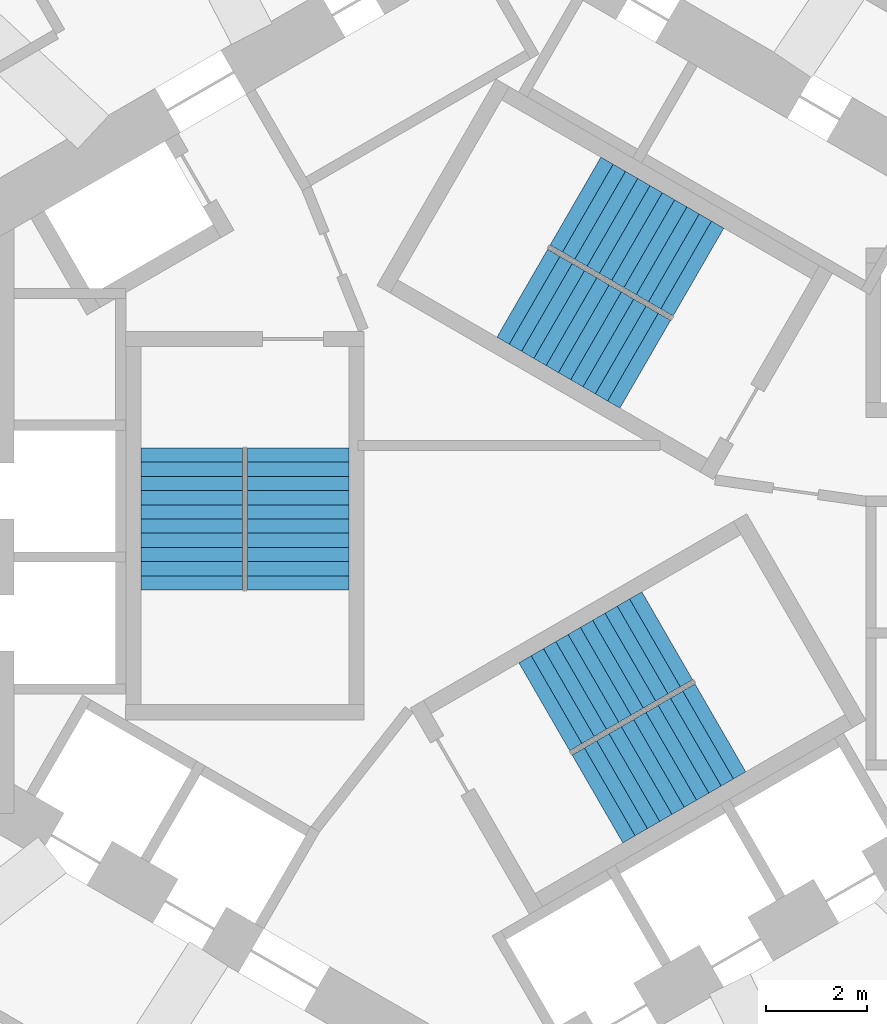
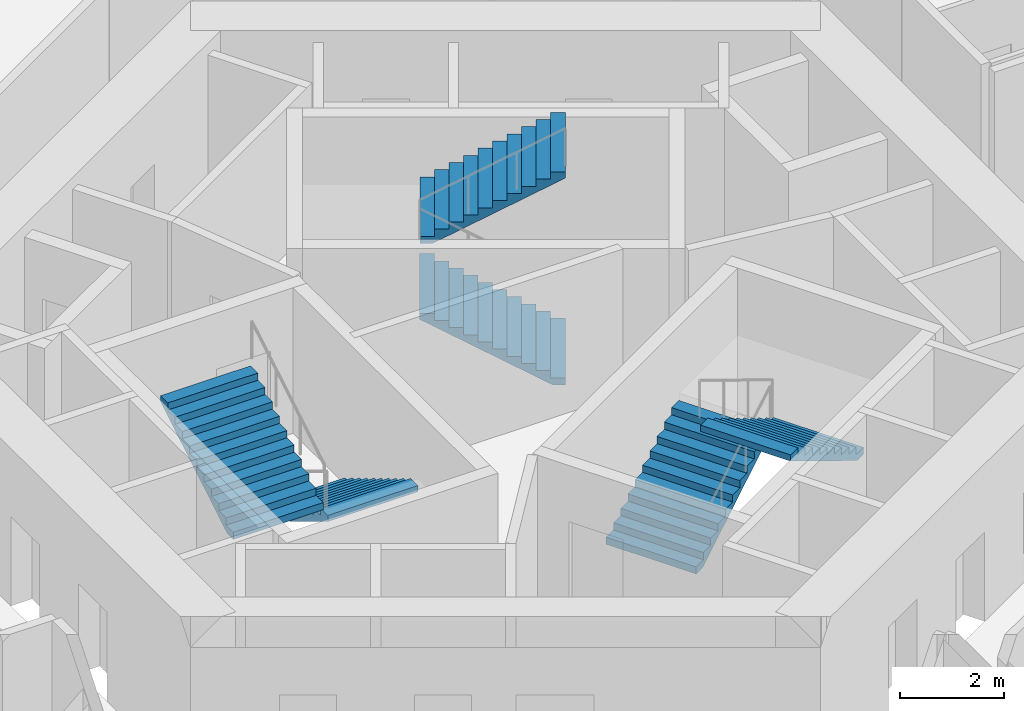
# One storey, part 9 of 11: 6 stair flights, 3 elements without a shape of their own.
"""IFC4 building model written with IfcOpenShell, lengths in metres."""

import ifcopenshell
import ifcopenshell.guid

model = None  # the IFC model being written
_history = None  # IfcOwnerHistory: only IFC2X3 demands one
_inside = {}  # id of a spatial element -> (the spatial element, [elements in it])
_under = {}  # id of a project, library or spatial element -> (it, [spatial elements below it])
_declared = {}  # id of a project -> (the project, [libraries it declares])
_typed = {}  # id of a type object -> (the type object, [elements of that type])
_made_of = {}  # id of a material, layer set ... -> (it, [elements and type objects made of it])


def new_model(schema):
    """Start an empty IFC model of exactly this schema.

    Asked for "IFC4X3", IfcOpenShell would pick the latest addendum, in which some entities
    have other attributes; the version numbers below select the first issue.
    IFC2X3 requires an IfcOwnerHistory on every rooted entity: one is made here for all.
    """
    global model, _history
    if schema == "IFC4X3":
        model = ifcopenshell.file(schema_version=(4, 3, 0, 0))
    else:
        model = ifcopenshell.file(schema=schema)
    _inside.clear()
    _under.clear()
    _declared.clear()
    _typed.clear()
    _made_of.clear()
    _history = None
    if model.schema == "IFC2X3":
        org = make("IfcOrganization", Name="unknown")
        user = make(
            "IfcPersonAndOrganization",
            ThePerson=make("IfcPerson", FamilyName="unknown"),
            TheOrganization=org,
        )
        app = make(
            "IfcApplication",
            ApplicationDeveloper=org,
            Version="unknown",
            ApplicationFullName="unknown",
            ApplicationIdentifier="unknown",
        )
        _history = make(
            "IfcOwnerHistory",
            OwningUser=user,
            OwningApplication=app,
            ChangeAction="ADDED",
            CreationDate=0,
        )
    return model


def make(cls, **values):
    """One entity of the class cls with the attributes given. An attribute that is None is left unset."""
    return model.create_entity(
        cls, **{name: value for name, value in values.items() if value is not None}
    )


def rooted(cls, **values):
    """An entity with a GlobalId (a new one), such as an element, a storey or a relation."""
    return make(cls, GlobalId=ifcopenshell.guid.new(), OwnerHistory=_history, **values)


def si_unit(unit_type, name, prefix=None):
    """IfcSIUnit, for example si_unit("LENGTHUNIT", "METRE", prefix="MILLI")."""
    return make("IfcSIUnit", UnitType=unit_type, Prefix=prefix, Name=name)


def assignment(units):
    """IfcUnitAssignment: the units of a project."""
    return None if units is None else make("IfcUnitAssignment", Units=units)


def point(xyz):
    """IfcCartesianPoint."""
    return None if xyz is None else make("IfcCartesianPoint", Coordinates=xyz)


def direction(xyz):
    """IfcDirection."""
    return None if xyz is None else make("IfcDirection", DirectionRatios=xyz)


def frame(location, z_axis=None, x_axis=None):
    """IfcAxis2Placement3D, a coordinate frame: its origin and axes. An axis left out is left unset."""
    return make(
        "IfcAxis2Placement3D",
        Location=point(location),
        Axis=direction(z_axis),
        RefDirection=direction(x_axis),
    )


def origin():
    """The frame at (0, 0, 0) with its axes left unset."""
    return frame((0.0, 0.0, 0.0))


def place(relative_to, where):
    """IfcLocalPlacement: puts the frame where relative to a parent placement (None: the world)."""
    return make(
        "IfcLocalPlacement", PlacementRelTo=relative_to, RelativePlacement=where
    )


def context(
    kind, dimensions, precision=None, world=None, true_north=None, identifier=None
):
    """IfcGeometricRepresentationContext, for example the 3D "Model" context."""
    return make(
        "IfcGeometricRepresentationContext",
        ContextIdentifier=identifier,
        ContextType=kind,
        CoordinateSpaceDimension=dimensions,
        Precision=precision,
        WorldCoordinateSystem=world,
        TrueNorth=true_north,
    )


def subcontext(parent, identifier, kind, view, scale=None):
    """IfcGeometricRepresentationSubContext, for example "Body" below "Model"."""
    return make(
        "IfcGeometricRepresentationSubContext",
        ContextIdentifier=identifier,
        ContextType=kind,
        ParentContext=parent,
        TargetScale=scale,
        TargetView=view,
    )


def project(units=None, contexts=None):
    """IfcProject with its units and contexts."""
    return rooted(
        "IfcProject",
        Name="project",
        RepresentationContexts=contexts,
        UnitsInContext=assignment(units),
    )


def spatial(cls, under=None, at=None, **own):
    """A site, building, storey or space (cls), placed at a placement, below another one or the project."""
    s = rooted(cls, ObjectPlacement=at, **own)
    if under is not None:
        _under.setdefault(under.id(), (under, []))[1].append(s)
    return s


def point_list(points):
    """IfcCartesianPointList2D or 3D."""
    cls = (
        "IfcCartesianPointList2D" if len(points[0]) == 2 else "IfcCartesianPointList3D"
    )
    return make(cls, CoordList=points)


def triangles(points, corners, closed=None, point_numbers=None):
    """IfcTriangulatedFaceSet: each triangle names its three corners, points numbered from 1."""
    return make(
        "IfcTriangulatedFaceSet",
        Coordinates=point_list(points),
        Closed=closed,
        CoordIndex=corners,
        PnIndex=point_numbers,
    )


def shape(context_of_items, identifier, shape_type, items):
    """IfcShapeRepresentation: the items that make up one representation, for example the "Body"."""
    return make(
        "IfcShapeRepresentation",
        ContextOfItems=context_of_items,
        RepresentationIdentifier=identifier,
        RepresentationType=shape_type,
        Items=items,
    )


def source(mapping_origin, context_of_items, identifier, shape_type, items):
    """IfcRepresentationMap: a shape defined once, which mapped items show again and again."""
    return make(
        "IfcRepresentationMap",
        MappingOrigin=mapping_origin,
        MappedRepresentation=shape(context_of_items, identifier, shape_type, items),
    )


def transform(
    local_origin,
    x_axis=None,
    y_axis=None,
    z_axis=None,
    scale=None,
    scale2=None,
    scale3=None,
    uniform=True,
):
    """IfcCartesianTransformationOperator3D, or its non-uniform kind. x_axis, y_axis, z_axis: its Axis1, 2, 3."""
    if uniform:
        return make(
            "IfcCartesianTransformationOperator3D",
            Axis1=direction(x_axis),
            Axis2=direction(y_axis),
            LocalOrigin=point(local_origin),
            Scale=scale,
            Axis3=direction(z_axis),
        )
    return make(
        "IfcCartesianTransformationOperator3DnonUniform",
        Axis1=direction(x_axis),
        Axis2=direction(y_axis),
        LocalOrigin=point(local_origin),
        Scale=scale,
        Axis3=direction(z_axis),
        Scale2=scale2,
        Scale3=scale3,
    )


def mapped(mapping_source, mapping_target):
    """IfcMappedItem: shows the shape of a source again, moved by a transform."""
    return make(
        "IfcMappedItem", MappingSource=mapping_source, MappingTarget=mapping_target
    )


def material(Name=None, Category=None):
    """IfcMaterial."""
    return make("IfcMaterial", Name=Name, Category=Category)


def made_of(thing, what):
    """Note that an element or type object is made of a material, layer set ...; save() writes the relation."""
    if what is not None:
        _made_of.setdefault(what.id(), (what, []))[1].append(thing)
    return thing


def type_object(cls, material=None, **own):
    """A type object (cls), such as IfcWallType, which elements share."""
    return made_of(rooted(cls, **own), material)


def element(
    cls,
    number,
    at=None,
    inside=None,
    cuts=None,
    type_object=None,
    material=None,
    context=None,
    identifier="Body",
    shape_type=None,
    held_by="IfcProductDefinitionShape",
    body=None,
    shapes=None,
    **own,
):
    """One element of the class cls, such as IfcWall. Its Tag is "e" and its number.

    at: its placement. inside: the storey or other place that contains it. cuts: it is an
    opening in that element (IfcRelVoidsElement). A single representation is given by context,
    identifier, shape_type and body (its items); several are given by shapes. held_by: the class
    of the entity that holds the representations. save() writes the other relations.
    """
    e = rooted(cls, Tag="e%d" % number, ObjectPlacement=at, **own)
    if body is not None:
        shapes = [shape(context, identifier, shape_type, body)]
    if shapes is not None:
        e.Representation = make(held_by, Representations=shapes)
    if inside is not None:
        _inside.setdefault(inside.id(), (inside, []))[1].append(e)
    if cuts is not None:
        rooted(
            "IfcRelVoidsElement", RelatingBuildingElement=cuts, RelatedOpeningElement=e
        )
    if type_object is not None:
        _typed.setdefault(type_object.id(), (type_object, []))[1].append(e)
    return made_of(e, material)


def aggregate(whole, parts):
    """IfcRelAggregates: a whole, such as a stair, and the parts it consists of."""
    return rooted("IfcRelAggregates", RelatingObject=whole, RelatedObjects=parts)


def save(model, path):
    """Write the relations noted so far, then the file.

    IfcRelAggregates (storeys below a building ...), IfcRelContainedInSpatialStructure (elements
    in a storey), IfcRelDefinesByType, IfcRelAssociatesMaterial and IfcRelDeclares: one each for
    every whole, place, type object, material and project.
    """
    for whole, parts in _under.values():
        aggregate(whole, parts)
    for where, things in _inside.values():
        rooted(
            "IfcRelContainedInSpatialStructure",
            RelatedElements=things,
            RelatingStructure=where,
        )
    for kind, things in _typed.values():
        rooted("IfcRelDefinesByType", RelatedObjects=things, RelatingType=kind)
    for what, things in _made_of.values():
        rooted("IfcRelAssociatesMaterial", RelatedObjects=things, RelatingMaterial=what)
    for by, libraries in _declared.values():
        rooted("IfcRelDeclares", RelatingContext=by, RelatedDefinitions=libraries)
    model.write(path)


model = new_model("IFC4")

# Units and contexts
model_context = context("Model", 3, precision=1e-05, world=origin(), true_north=direction((0.0, 1.0)))
body_context = subcontext(model_context, "Body", "Model", "MODEL_VIEW")
ifc_project = project(units=[si_unit("LENGTHUNIT", "METRE"), si_unit("AREAUNIT", "SQUARE_METRE"), si_unit("VOLUMEUNIT", "CUBIC_METRE"), si_unit("PLANEANGLEUNIT", "RADIAN"), si_unit("MASSUNIT", "GRAM", prefix="KILO")], contexts=[model_context])

# Site, building, storey
site_placement = place(None, origin())
site = spatial("IfcSite", under=ifc_project, at=site_placement, CompositionType="ELEMENT")
building_placement = place(site_placement, origin())
building = spatial("IfcBuilding", under=site, at=building_placement, Name="Vanh Sen Convention Tower", CompositionType="ELEMENT")
storey_placement = place(building_placement, frame((0.0, 0.0, 172.5)))
storey = spatial("IfcBuildingStorey", under=building, at=storey_placement, Name="L42", CompositionType="ELEMENT", Elevation=172.5)

# Stair, stair flights
ifc_material_1 = material(Name="Concrete C50/60", Category="concrete")
stair_type_1 = type_object("IfcStairType", Name="Exit stair ST1 22 risers at 168.2", PredefinedType="HALF_TURN_STAIR", material=ifc_material_1)
stair_1_placement = place(storey_placement, origin())
stair_1 = element("IfcStair", 1, at=stair_1_placement, inside=storey, type_object=stair_type_1, Name="Exit stair ST1 L42", PredefinedType="HALF_TURN_STAIR")
ifc_material_2 = material(Name="Concrete C40/50", Category="concrete")
stair_flight_type = type_object("IfcStairFlightType", Name="Stair flight 2000", PredefinedType="STRAIGHT", material=ifc_material_2)
shared_shape = source(origin(), body_context, "Body", "Tessellation", [
    triangles([(0.24267578125, 1.0, 0.0), (0.0, 1.0, 0.0), (0.0, 1.0, 0.168212890625), (0.280029296875, 1.0, 0.168212890625), (0.280029296875, 1.0, 0.33642578125), (0.56005859375, 1.0, 0.33642578125), (0.56005859375, 1.0, 0.504638671875), (0.840087890625, 1.0, 0.504638671875), (0.840087890625, 1.0, 0.672607421875), (1.1201171875, 1.0, 0.672607421875), (1.1201171875, 1.0, 0.8408203125), (1.39990234375, 1.0, 0.8408203125), (1.39990234375, 1.0, 1.009033203125), (1.679931640625, 1.0, 1.009033203125), (1.679931640625, 1.0, 1.17724609375), (1.9599609375, 1.0, 1.17724609375), (1.9599609375, 1.0, 1.345458984375), (2.239990234375, 1.0, 1.345458984375), (2.239990234375, 1.0, 1.513671875), (2.52001953125, 1.0, 1.513671875), (2.52001953125, 1.0, 1.681884765625), (2.800048828125, 1.0, 1.681884765625), (2.800048828125, 1.0, 1.535888671875), (0.24267578125, -1.0, 0.0), (0.0, -1.0, 0.0), (0.0, -1.0, 0.168212890625), (0.280029296875, -1.0, 0.168212890625), (0.280029296875, -1.0, 0.33642578125), (0.56005859375, -1.0, 0.33642578125), (0.56005859375, -1.0, 0.504638671875), (0.840087890625, -1.0, 0.504638671875), (0.840087890625, -1.0, 0.672607421875), (1.1201171875, -1.0, 0.672607421875), (1.1201171875, -1.0, 0.8408203125), (1.39990234375, -1.0, 0.8408203125), (1.39990234375, -1.0, 1.009033203125), (1.679931640625, -1.0, 1.009033203125), (1.679931640625, -1.0, 1.17724609375), (1.9599609375, -1.0, 1.17724609375), (1.9599609375, -1.0, 1.345458984375), (2.239990234375, -1.0, 1.345458984375), (2.239990234375, -1.0, 1.513671875), (2.52001953125, -1.0, 1.513671875), (2.52001953125, -1.0, 1.681884765625), (2.800048828125, -1.0, 1.681884765625), (2.800048828125, -1.0, 1.535888671875), (0.0, 0.0400390625, 0.0), (0.0, 0.0390625, 0.0), (0.0, 0.0380859375, 0.0), (0.0, 0.037109375, 0.0), (0.0, 0.035888671875, 0.0), (0.0, 0.034912109375, 0.0), (0.0, 0.033935546875, 0.0), (0.0, 0.032958984375, 0.0), (0.0, 0.031982421875, 0.0), (0.0, 0.031005859375, 0.0), (0.0, 0.030029296875, 0.0), (0.0, 0.029052734375, 0.0), (0.0, 0.028076171875, 0.0), (0.0, 0.027099609375, 0.0), (0.0, 0.02587890625, 0.0), (0.0, 0.02490234375, 0.0), (0.0, 0.02392578125, 0.0), (0.0, 0.02294921875, 0.0), (0.0, 0.02197265625, 0.0), (0.0, 0.02099609375, 0.0), (0.0, 0.02001953125, 0.0), (0.0, 0.01904296875, 0.0), (0.0, 0.01806640625, 0.0), (0.0, 0.01708984375, 0.0), (0.0, 0.01611328125, 0.0), (0.0, 0.014892578125, 0.0), (0.0, 0.013916015625, 0.0), (0.0, 0.012939453125, 0.0), (0.0, 0.011962890625, 0.0), (0.0, 0.010986328125, 0.0), (0.0, 0.010009765625, 0.0), (0.0, 0.009033203125, 0.0), (0.0, 0.008056640625, 0.0), (0.0, 0.007080078125, 0.0), (0.0, 0.006103515625, 0.0), (0.0, 0.0048828125, 0.0), (0.0, 0.00390625, 0.0), (0.0, 0.0029296875, 0.0), (0.0, 0.001953125, 0.0), (0.0, 0.0009765625, 0.0), (0.0, 0.0, 0.0), (0.0, -0.0009765625, 0.0), (0.0, -0.001953125, 0.0), (0.0, -0.0029296875, 0.0), (0.0, -0.00390625, 0.0), (0.0, -0.0048828125, 0.0), (0.0, -0.006103515625, 0.0), (0.0, -0.007080078125, 0.0), (0.0, -0.008056640625, 0.0), (0.0, -0.009033203125, 0.0), (0.0, -0.010009765625, 0.0), (0.0, -0.010986328125, 0.0), (0.0, -0.011962890625, 0.0), (0.0, -0.012939453125, 0.0), (0.0, -0.013916015625, 0.0), (0.0, -0.014892578125, 0.0), (0.0, -0.01611328125, 0.0), (0.0, -0.01708984375, 0.0), (0.0, -0.01806640625, 0.0), (0.0, -0.01904296875, 0.0), (0.0, -0.02001953125, 0.0), (0.0, -0.02099609375, 0.0), (0.0, -0.02197265625, 0.0), (0.0, -0.02294921875, 0.0), (0.0, -0.02392578125, 0.0), (0.0, -0.02490234375, 0.0), (0.0, -0.02587890625, 0.0), (0.0, -0.027099609375, 0.0), (0.0, -0.028076171875, 0.0), (0.0, -0.029052734375, 0.0), (0.0, -0.030029296875, 0.0), (0.0, -0.031005859375, 0.0), (0.0, -0.031982421875, 0.0), (0.0, -0.032958984375, 0.0), (0.0, -0.033935546875, 0.0), (0.0, -0.034912109375, 0.0), (0.0, -0.035888671875, 0.0), (0.0, -0.037109375, 0.0), (0.0, -0.0380859375, 0.0), (0.0, -0.0390625, 0.0), (0.0, -0.0400390625, 0.0), (0.0, 0.0400390625, 0.168212890625), (0.0, 0.0390625, 0.168212890625), (0.0, 0.0380859375, 0.168212890625), (0.0, 0.037109375, 0.168212890625), (0.0, 0.035888671875, 0.168212890625), (0.0, 0.034912109375, 0.168212890625), (0.0, 0.033935546875, 0.168212890625), (0.0, 0.032958984375, 0.168212890625), (0.0, 0.031982421875, 0.168212890625), (0.0, 0.031005859375, 0.168212890625), (0.0, 0.030029296875, 0.168212890625), (0.0, 0.029052734375, 0.168212890625), (0.0, 0.028076171875, 0.168212890625), (0.0, 0.027099609375, 0.168212890625), (0.0, 0.02587890625, 0.168212890625), (0.0, 0.02490234375, 0.168212890625), (0.0, 0.02392578125, 0.168212890625), (0.0, 0.02294921875, 0.168212890625), (0.0, 0.02197265625, 0.168212890625), (0.0, 0.02099609375, 0.168212890625), (0.0, 0.02001953125, 0.168212890625), (0.0, 0.01904296875, 0.168212890625), (0.0, 0.01806640625, 0.168212890625), (0.0, 0.01708984375, 0.168212890625), (0.0, 0.01611328125, 0.168212890625), (0.0, 0.014892578125, 0.168212890625), (0.0, 0.013916015625, 0.168212890625), (0.0, 0.012939453125, 0.168212890625), (0.0, 0.011962890625, 0.168212890625), (0.0, 0.010986328125, 0.168212890625), (0.0, 0.010009765625, 0.168212890625), (0.0, 0.009033203125, 0.168212890625), (0.0, 0.008056640625, 0.168212890625), (0.0, 0.007080078125, 0.168212890625), (0.0, 0.006103515625, 0.168212890625), (0.0, 0.0048828125, 0.168212890625), (0.0, 0.00390625, 0.168212890625), (0.0, 0.0029296875, 0.168212890625), (0.0, 0.001953125, 0.168212890625), (0.0, 0.0009765625, 0.168212890625), (0.0, 0.0, 0.168212890625), (0.0, -0.0009765625, 0.168212890625), (0.0, -0.001953125, 0.168212890625), (0.0, -0.0029296875, 0.168212890625), (0.0, -0.00390625, 0.168212890625), (0.0, -0.0048828125, 0.168212890625), (0.0, -0.006103515625, 0.168212890625), (0.0, -0.007080078125, 0.168212890625), (0.0, -0.008056640625, 0.168212890625), (0.0, -0.009033203125, 0.168212890625), (0.0, -0.010009765625, 0.168212890625), (0.0, -0.010986328125, 0.168212890625), (0.0, -0.011962890625, 0.168212890625), (0.0, -0.012939453125, 0.168212890625), (0.0, -0.013916015625, 0.168212890625), (0.0, -0.014892578125, 0.168212890625), (0.0, -0.01611328125, 0.168212890625), (0.0, -0.01708984375, 0.168212890625), (0.0, -0.01806640625, 0.168212890625), (0.0, -0.01904296875, 0.168212890625), (0.0, -0.02001953125, 0.168212890625), (0.0, -0.02099609375, 0.168212890625), (0.0, -0.02197265625, 0.168212890625), (0.0, -0.02294921875, 0.168212890625), (0.0, -0.02392578125, 0.168212890625), (0.0, -0.02490234375, 0.168212890625), (0.0, -0.02587890625, 0.168212890625), (0.0, -0.027099609375, 0.168212890625), (0.0, -0.028076171875, 0.168212890625), (0.0, -0.029052734375, 0.168212890625), (0.0, -0.030029296875, 0.168212890625), (0.0, -0.031005859375, 0.168212890625), (0.0, -0.031982421875, 0.168212890625), (0.0, -0.032958984375, 0.168212890625), (0.0, -0.033935546875, 0.168212890625), (0.0, -0.034912109375, 0.168212890625), (0.0, -0.035888671875, 0.168212890625), (0.0, -0.037109375, 0.168212890625), (0.0, -0.0380859375, 0.168212890625), (0.0, -0.0390625, 0.168212890625), (0.0, -0.0400390625, 0.168212890625), (0.280029296875, 0.0, 0.168212890625), (0.280029296875, 0.0, 0.33642578125), (0.56005859375, 0.0, 0.33642578125), (0.56005859375, 0.0, 0.504638671875), (0.840087890625, 0.0, 0.504638671875), (0.840087890625, 0.0, 0.672607421875), (1.1201171875, 0.0, 0.672607421875), (1.1201171875, 0.0, 0.8408203125), (1.39990234375, 0.0, 0.8408203125), (1.39990234375, 0.0, 1.009033203125), (1.679931640625, 0.0, 1.009033203125), (1.679931640625, 0.0, 1.17724609375), (1.9599609375, 0.0, 1.17724609375), (1.9599609375, 0.0, 1.345458984375), (2.239990234375, 0.0, 1.345458984375), (2.239990234375, 0.0, 1.513671875), (2.52001953125, 0.0, 1.513671875), (2.52001953125, 0.0, 1.681884765625), (2.800048828125, 0.0400390625, 1.681884765625), (2.800048828125, 0.0390625, 1.681884765625), (2.800048828125, 0.0380859375, 1.681884765625), (2.800048828125, 0.037109375, 1.681884765625), (2.800048828125, 0.035888671875, 1.681884765625), (2.800048828125, 0.034912109375, 1.681884765625), (2.800048828125, 0.033935546875, 1.681884765625), (2.800048828125, 0.032958984375, 1.681884765625), (2.800048828125, 0.031982421875, 1.681884765625), (2.800048828125, 0.031005859375, 1.681884765625), (2.800048828125, 0.030029296875, 1.681884765625), (2.800048828125, 0.029052734375, 1.681884765625), (2.800048828125, 0.028076171875, 1.681884765625), (2.800048828125, 0.027099609375, 1.681884765625), (2.800048828125, 0.02587890625, 1.681884765625), (2.800048828125, 0.02490234375, 1.681884765625), (2.800048828125, 0.02392578125, 1.681884765625), (2.800048828125, 0.02294921875, 1.681884765625), (2.800048828125, 0.02197265625, 1.681884765625), (2.800048828125, 0.02099609375, 1.681884765625), (2.800048828125, 0.02001953125, 1.681884765625), (2.800048828125, 0.01904296875, 1.681884765625), (2.800048828125, 0.01806640625, 1.681884765625), (2.800048828125, 0.01708984375, 1.681884765625), (2.800048828125, 0.01611328125, 1.681884765625), (2.800048828125, 0.014892578125, 1.681884765625), (2.800048828125, 0.013916015625, 1.681884765625), (2.800048828125, 0.012939453125, 1.681884765625), (2.800048828125, 0.011962890625, 1.681884765625), (2.800048828125, 0.010986328125, 1.681884765625), (2.800048828125, 0.010009765625, 1.681884765625), (2.800048828125, 0.009033203125, 1.681884765625), (2.800048828125, 0.008056640625, 1.681884765625), (2.800048828125, 0.007080078125, 1.681884765625), (2.800048828125, 0.006103515625, 1.681884765625), (2.800048828125, 0.0048828125, 1.681884765625), (2.800048828125, 0.00390625, 1.681884765625), (2.800048828125, 0.0029296875, 1.681884765625), (2.800048828125, 0.001953125, 1.681884765625), (2.800048828125, 0.0009765625, 1.681884765625), (2.800048828125, 0.0, 1.681884765625), (2.800048828125, -0.0009765625, 1.681884765625), (2.800048828125, -0.001953125, 1.681884765625), (2.800048828125, -0.0029296875, 1.681884765625), (2.800048828125, -0.00390625, 1.681884765625), (2.800048828125, -0.0048828125, 1.681884765625), (2.800048828125, -0.006103515625, 1.681884765625), (2.800048828125, -0.007080078125, 1.681884765625), (2.800048828125, -0.008056640625, 1.681884765625), (2.800048828125, -0.009033203125, 1.681884765625), (2.800048828125, -0.010009765625, 1.681884765625), (2.800048828125, -0.010986328125, 1.681884765625), (2.800048828125, -0.011962890625, 1.681884765625), (2.800048828125, -0.012939453125, 1.681884765625), (2.800048828125, -0.013916015625, 1.681884765625), (2.800048828125, -0.014892578125, 1.681884765625), (2.800048828125, -0.01611328125, 1.681884765625), (2.800048828125, -0.01708984375, 1.681884765625), (2.800048828125, -0.01806640625, 1.681884765625), (2.800048828125, -0.01904296875, 1.681884765625), (2.800048828125, -0.02001953125, 1.681884765625), (2.800048828125, -0.02099609375, 1.681884765625), (2.800048828125, -0.02197265625, 1.681884765625), (2.800048828125, -0.02294921875, 1.681884765625), (2.800048828125, -0.02392578125, 1.681884765625), (2.800048828125, -0.02490234375, 1.681884765625), (2.800048828125, -0.02587890625, 1.681884765625), (2.800048828125, -0.027099609375, 1.681884765625), (2.800048828125, -0.028076171875, 1.681884765625), (2.800048828125, -0.029052734375, 1.681884765625), (2.800048828125, -0.030029296875, 1.681884765625), (2.800048828125, -0.031005859375, 1.681884765625), (2.800048828125, -0.031982421875, 1.681884765625), (2.800048828125, -0.032958984375, 1.681884765625), (2.800048828125, -0.033935546875, 1.681884765625), (2.800048828125, -0.034912109375, 1.681884765625), (2.800048828125, -0.035888671875, 1.681884765625), (2.800048828125, -0.037109375, 1.681884765625), (2.800048828125, -0.0380859375, 1.681884765625), (2.800048828125, -0.0390625, 1.681884765625), (2.800048828125, -0.0400390625, 1.681884765625), (2.800048828125, 0.0400390625, 1.535888671875), (2.800048828125, 0.0390625, 1.535888671875), (2.800048828125, 0.0380859375, 1.535888671875), (2.800048828125, 0.037109375, 1.535888671875), (2.800048828125, 0.035888671875, 1.535888671875), (2.800048828125, 0.034912109375, 1.535888671875), (2.800048828125, 0.033935546875, 1.535888671875), (2.800048828125, 0.032958984375, 1.535888671875), (2.800048828125, 0.031982421875, 1.535888671875), (2.800048828125, 0.031005859375, 1.535888671875), (2.800048828125, 0.030029296875, 1.535888671875), (2.800048828125, 0.029052734375, 1.535888671875), (2.800048828125, 0.028076171875, 1.535888671875), (2.800048828125, 0.027099609375, 1.535888671875), (2.800048828125, 0.02587890625, 1.535888671875), (2.800048828125, 0.02490234375, 1.535888671875), (2.800048828125, 0.02392578125, 1.535888671875), (2.800048828125, 0.02294921875, 1.535888671875), (2.800048828125, 0.02197265625, 1.535888671875), (2.800048828125, 0.02099609375, 1.535888671875), (2.800048828125, 0.02001953125, 1.535888671875), (2.800048828125, 0.01904296875, 1.535888671875), (2.800048828125, 0.01806640625, 1.535888671875), (2.800048828125, 0.01708984375, 1.535888671875), (2.800048828125, 0.01611328125, 1.535888671875), (2.800048828125, 0.014892578125, 1.535888671875), (2.800048828125, 0.013916015625, 1.535888671875), (2.800048828125, 0.012939453125, 1.535888671875), (2.800048828125, 0.011962890625, 1.535888671875), (2.800048828125, 0.010986328125, 1.535888671875), (2.800048828125, 0.010009765625, 1.535888671875), (2.800048828125, 0.009033203125, 1.535888671875), (2.800048828125, 0.008056640625, 1.535888671875), (2.800048828125, 0.007080078125, 1.535888671875), (2.800048828125, 0.006103515625, 1.535888671875), (2.800048828125, 0.0048828125, 1.535888671875), (2.800048828125, 0.00390625, 1.535888671875), (2.800048828125, 0.0029296875, 1.535888671875), (2.800048828125, 0.001953125, 1.535888671875), (2.800048828125, 0.0009765625, 1.535888671875), (2.800048828125, 0.0, 1.535888671875), (2.800048828125, -0.0009765625, 1.535888671875), (2.800048828125, -0.001953125, 1.535888671875), (2.800048828125, -0.0029296875, 1.535888671875), (2.800048828125, -0.00390625, 1.535888671875), (2.800048828125, -0.0048828125, 1.535888671875), (2.800048828125, -0.006103515625, 1.535888671875), (2.800048828125, -0.007080078125, 1.535888671875), (2.800048828125, -0.008056640625, 1.535888671875), (2.800048828125, -0.009033203125, 1.535888671875), (2.800048828125, -0.010009765625, 1.535888671875), (2.800048828125, -0.010986328125, 1.535888671875), (2.800048828125, -0.011962890625, 1.535888671875), (2.800048828125, -0.012939453125, 1.535888671875), (2.800048828125, -0.013916015625, 1.535888671875), (2.800048828125, -0.014892578125, 1.535888671875), (2.800048828125, -0.01611328125, 1.535888671875), (2.800048828125, -0.01708984375, 1.535888671875), (2.800048828125, -0.01806640625, 1.535888671875), (2.800048828125, -0.01904296875, 1.535888671875), (2.800048828125, -0.02001953125, 1.535888671875), (2.800048828125, -0.02099609375, 1.535888671875), (2.800048828125, -0.02197265625, 1.535888671875), (2.800048828125, -0.02294921875, 1.535888671875), (2.800048828125, -0.02392578125, 1.535888671875), (2.800048828125, -0.02490234375, 1.535888671875), (2.800048828125, -0.02587890625, 1.535888671875), (2.800048828125, -0.027099609375, 1.535888671875), (2.800048828125, -0.028076171875, 1.535888671875), (2.800048828125, -0.029052734375, 1.535888671875), (2.800048828125, -0.030029296875, 1.535888671875), (2.800048828125, -0.031005859375, 1.535888671875), (2.800048828125, -0.031982421875, 1.535888671875), (2.800048828125, -0.032958984375, 1.535888671875), (2.800048828125, -0.033935546875, 1.535888671875), (2.800048828125, -0.034912109375, 1.535888671875), (2.800048828125, -0.035888671875, 1.535888671875), (2.800048828125, -0.037109375, 1.535888671875), (2.800048828125, -0.0380859375, 1.535888671875), (2.800048828125, -0.0390625, 1.535888671875), (2.800048828125, -0.0400390625, 1.535888671875), (0.24267578125, 0.0, 0.0)], [[1, 2, 3], [1, 3, 4], [4, 5, 6], [1, 4, 6], [6, 7, 8], [1, 6, 8], [8, 9, 10], [1, 8, 10], [10, 11, 12], [1, 10, 12], [12, 13, 14], [1, 12, 14], [14, 15, 16], [1, 14, 16], [16, 17, 18], [1, 16, 18], [18, 19, 20], [1, 18, 20], [20, 21, 22], [1, 20, 22], [22, 23, 1], [24, 26, 25], [24, 27, 26], [27, 29, 28], [24, 29, 27], [29, 31, 30], [24, 31, 29], [31, 33, 32], [24, 33, 31], [33, 35, 34], [24, 35, 33], [35, 37, 36], [24, 37, 35], [37, 39, 38], [24, 39, 37], [39, 41, 40], [24, 41, 39], [41, 43, 42], [24, 43, 41], [43, 45, 44], [24, 45, 43], [45, 24, 46], [2, 128, 3], [2, 47, 128], [47, 129, 128], [47, 48, 129], [48, 130, 129], [48, 49, 130], [49, 131, 130], [49, 50, 131], [50, 132, 131], [50, 51, 132], [51, 133, 132], [51, 52, 133], [52, 134, 133], [52, 53, 134], [53, 135, 134], [53, 54, 135], [54, 136, 135], [54, 55, 136], [55, 137, 136], [55, 56, 137], [56, 138, 137], [56, 57, 138], [57, 139, 138], [57, 58, 139], [58, 140, 139], [58, 59, 140], [59, 141, 140], [59, 60, 141], [60, 142, 141], [60, 61, 142], [61, 143, 142], [61, 62, 143], [62, 144, 143], [62, 63, 144], [63, 145, 144], [63, 64, 145], [64, 146, 145], [64, 65, 146], [65, 147, 146], [65, 66, 147], [66, 148, 147], [66, 67, 148], [67, 149, 148], [67, 68, 149], [68, 150, 149], [68, 69, 150], [69, 151, 150], [69, 70, 151], [70, 152, 151], [70, 71, 152], [71, 153, 152], [71, 72, 153], [72, 154, 153], [72, 73, 154], [73, 155, 154], [73, 74, 155], [74, 156, 155], [74, 75, 156], [75, 157, 156], [75, 76, 157], [76, 158, 157], [76, 77, 158], [77, 159, 158], [77, 78, 159], [78, 160, 159], [78, 79, 160], [79, 161, 160], [79, 80, 161], [80, 162, 161], [80, 81, 162], [81, 163, 162], [81, 82, 163], [82, 164, 163], [82, 83, 164], [83, 165, 164], [83, 84, 165], [84, 166, 165], [84, 85, 166], [85, 167, 166], [85, 86, 167], [86, 168, 167], [86, 87, 168], [87, 88, 168], [168, 88, 169], [88, 89, 169], [169, 89, 170], [89, 90, 170], [170, 90, 171], [90, 91, 171], [171, 91, 172], [91, 92, 172], [172, 92, 173], [92, 93, 173], [173, 93, 174], [93, 94, 174], [174, 94, 175], [94, 95, 175], [175, 95, 176], [95, 96, 176], [176, 96, 177], [96, 97, 177], [177, 97, 178], [97, 98, 178], [178, 98, 179], [98, 99, 179], [179, 99, 180], [99, 100, 180], [180, 100, 181], [100, 101, 181], [181, 101, 182], [101, 102, 182], [182, 102, 183], [102, 103, 183], [183, 103, 184], [103, 104, 184], [184, 104, 185], [104, 105, 185], [185, 105, 186], [105, 106, 186], [186, 106, 187], [106, 107, 187], [187, 107, 188], [107, 108, 188], [188, 108, 189], [108, 109, 189], [189, 109, 190], [109, 110, 190], [190, 110, 191], [110, 111, 191], [191, 111, 192], [111, 112, 192], [192, 112, 193], [112, 113, 193], [193, 113, 194], [113, 114, 194], [194, 114, 195], [114, 115, 195], [195, 115, 196], [115, 116, 196], [196, 116, 197], [116, 117, 197], [197, 117, 198], [117, 118, 198], [198, 118, 199], [118, 119, 199], [199, 119, 200], [119, 120, 200], [200, 120, 201], [120, 121, 201], [201, 121, 202], [121, 122, 202], [202, 122, 203], [122, 123, 203], [203, 123, 204], [123, 124, 204], [204, 124, 205], [124, 125, 205], [205, 125, 206], [125, 126, 206], [206, 126, 207], [126, 127, 207], [207, 127, 208], [127, 25, 208], [208, 25, 26], [4, 3, 128], [4, 128, 129], [4, 129, 130], [4, 130, 131], [4, 131, 132], [4, 132, 133], [4, 133, 134], [4, 134, 135], [4, 135, 136], [4, 136, 137], [4, 137, 138], [4, 138, 139], [4, 139, 140], [4, 140, 141], [4, 141, 142], [4, 142, 143], [4, 143, 144], [4, 144, 145], [4, 145, 146], [4, 146, 147], [4, 147, 148], [4, 148, 149], [4, 149, 150], [4, 150, 151], [4, 151, 152], [4, 152, 153], [4, 153, 154], [4, 154, 155], [4, 155, 156], [4, 156, 157], [4, 157, 158], [4, 158, 159], [4, 159, 160], [4, 160, 161], [4, 161, 162], [4, 162, 163], [4, 163, 164], [4, 164, 165], [4, 165, 166], [4, 166, 167], [4, 167, 168], [27, 168, 169], [27, 169, 170], [27, 170, 171], [27, 171, 172], [27, 172, 173], [27, 173, 174], [27, 174, 175], [27, 175, 176], [27, 176, 177], [27, 177, 178], [27, 178, 179], [27, 179, 180], [27, 180, 181], [27, 181, 182], [27, 182, 183], [27, 183, 184], [27, 184, 185], [27, 185, 186], [27, 186, 187], [27, 187, 188], [27, 188, 189], [27, 189, 190], [27, 190, 191], [27, 191, 192], [27, 192, 193], [27, 193, 194], [27, 194, 195], [27, 195, 196], [27, 196, 197], [27, 197, 198], [27, 198, 199], [27, 199, 200], [27, 200, 201], [27, 201, 202], [27, 202, 203], [27, 203, 204], [27, 204, 205], [27, 205, 206], [27, 206, 207], [27, 207, 208], [27, 208, 26], [4, 168, 209], [27, 209, 168], [4, 210, 5], [4, 209, 210], [209, 27, 210], [210, 27, 28], [5, 211, 6], [5, 210, 211], [210, 28, 211], [211, 28, 29], [6, 212, 7], [6, 211, 212], [211, 29, 212], [212, 29, 30], [7, 213, 8], [7, 212, 213], [212, 30, 213], [213, 30, 31], [8, 214, 9], [8, 213, 214], [213, 31, 214], [214, 31, 32], [9, 215, 10], [9, 214, 215], [214, 32, 215], [215, 32, 33], [10, 216, 11], [10, 215, 216], [215, 33, 216], [216, 33, 34], [11, 217, 12], [11, 216, 217], [216, 34, 217], [217, 34, 35], [12, 218, 13], [12, 217, 218], [217, 35, 218], [218, 35, 36], [13, 219, 14], [13, 218, 219], [218, 36, 219], [219, 36, 37], [14, 220, 15], [14, 219, 220], [219, 37, 220], [220, 37, 38], [15, 221, 16], [15, 220, 221], [220, 38, 221], [221, 38, 39], [16, 222, 17], [16, 221, 222], [221, 39, 222], [222, 39, 40], [17, 223, 18], [17, 222, 223], [222, 40, 223], [223, 40, 41], [18, 224, 19], [18, 223, 224], [223, 41, 224], [224, 41, 42], [19, 225, 20], [19, 224, 225], [224, 42, 225], [225, 42, 43], [20, 226, 21], [20, 225, 226], [225, 43, 226], [226, 43, 44], [21, 227, 22], [21, 228, 227], [21, 229, 228], [21, 230, 229], [21, 231, 230], [21, 232, 231], [21, 233, 232], [21, 234, 233], [21, 235, 234], [21, 236, 235], [21, 237, 236], [21, 238, 237], [21, 239, 238], [21, 240, 239], [21, 241, 240], [21, 242, 241], [21, 243, 242], [21, 244, 243], [21, 245, 244], [21, 246, 245], [21, 247, 246], [21, 248, 247], [21, 249, 248], [21, 250, 249], [21, 251, 250], [21, 252, 251], [21, 253, 252], [21, 254, 253], [21, 255, 254], [21, 256, 255], [21, 257, 256], [21, 258, 257], [21, 259, 258], [21, 260, 259], [21, 261, 260], [21, 262, 261], [21, 263, 262], [21, 264, 263], [21, 265, 264], [21, 266, 265], [21, 267, 266], [44, 268, 267], [44, 269, 268], [44, 270, 269], [44, 271, 270], [44, 272, 271], [44, 273, 272], [44, 274, 273], [44, 275, 274], [44, 276, 275], [44, 277, 276], [44, 278, 277], [44, 279, 278], [44, 280, 279], [44, 281, 280], [44, 282, 281], [44, 283, 282], [44, 284, 283], [44, 285, 284], [44, 286, 285], [44, 287, 286], [44, 288, 287], [44, 289, 288], [44, 290, 289], [44, 291, 290], [44, 292, 291], [44, 293, 292], [44, 294, 293], [44, 295, 294], [44, 296, 295], [44, 297, 296], [44, 298, 297], [44, 299, 298], [44, 300, 299], [44, 301, 300], [44, 302, 301], [44, 303, 302], [44, 304, 303], [44, 305, 304], [44, 306, 305], [44, 307, 306], [44, 45, 307], [21, 226, 267], [44, 267, 226], [22, 308, 23], [22, 227, 308], [227, 309, 308], [227, 228, 309], [228, 310, 309], [228, 229, 310], [229, 311, 310], [229, 230, 311], [230, 312, 311], [230, 231, 312], [231, 313, 312], [231, 232, 313], [232, 314, 313], [232, 233, 314], [233, 315, 314], [233, 234, 315], [234, 316, 315], [234, 235, 316], [235, 317, 316], [235, 236, 317], [236, 318, 317], [236, 237, 318], [237, 319, 318], [237, 238, 319], [238, 320, 319], [238, 239, 320], [239, 321, 320], [239, 240, 321], [240, 322, 321], [240, 241, 322], [241, 323, 322], [241, 242, 323], [242, 324, 323], [242, 243, 324], [243, 325, 324], [243, 244, 325], [244, 326, 325], [244, 245, 326], [245, 327, 326], [245, 246, 327], [246, 328, 327], [246, 247, 328], [247, 329, 328], [247, 248, 329], [248, 330, 329], [248, 249, 330], [249, 331, 330], [249, 250, 331], [250, 332, 331], [250, 251, 332], [251, 333, 332], [251, 252, 333], [252, 334, 333], [252, 253, 334], [253, 335, 334], [253, 254, 335], [254, 336, 335], [254, 255, 336], [255, 337, 336], [255, 256, 337], [256, 338, 337], [256, 257, 338], [257, 339, 338], [257, 258, 339], [258, 340, 339], [258, 259, 340], [259, 341, 340], [259, 260, 341], [260, 342, 341], [260, 261, 342], [261, 343, 342], [261, 262, 343], [262, 344, 343], [262, 263, 344], [263, 345, 344], [263, 264, 345], [264, 346, 345], [264, 265, 346], [265, 347, 346], [265, 266, 347], [266, 348, 347], [266, 267, 348], [267, 268, 348], [348, 268, 349], [268, 269, 349], [349, 269, 350], [269, 270, 350], [350, 270, 351], [270, 271, 351], [351, 271, 352], [271, 272, 352], [352, 272, 353], [272, 273, 353], [353, 273, 354], [273, 274, 354], [354, 274, 355], [274, 275, 355], [355, 275, 356], [275, 276, 356], [356, 276, 357], [276, 277, 357], [357, 277, 358], [277, 278, 358], [358, 278, 359], [278, 279, 359], [359, 279, 360], [279, 280, 360], [360, 280, 361], [280, 281, 361], [361, 281, 362], [281, 282, 362], [362, 282, 363], [282, 283, 363], [363, 283, 364], [283, 284, 364], [364, 284, 365], [284, 285, 365], [365, 285, 366], [285, 286, 366], [366, 286, 367], [286, 287, 367], [367, 287, 368], [287, 288, 368], [368, 288, 369], [288, 289, 369], [369, 289, 370], [289, 290, 370], [370, 290, 371], [290, 291, 371], [371, 291, 372], [291, 292, 372], [372, 292, 373], [292, 293, 373], [373, 293, 374], [293, 294, 374], [374, 294, 375], [294, 295, 375], [375, 295, 376], [295, 296, 376], [376, 296, 377], [296, 297, 377], [377, 297, 378], [297, 298, 378], [378, 298, 379], [298, 299, 379], [379, 299, 380], [299, 300, 380], [380, 300, 381], [300, 301, 381], [381, 301, 382], [301, 302, 382], [382, 302, 383], [302, 303, 383], [383, 303, 384], [303, 304, 384], [384, 304, 385], [304, 305, 385], [385, 305, 386], [305, 306, 386], [386, 306, 387], [306, 307, 387], [387, 307, 388], [307, 45, 388], [388, 45, 46], [1, 23, 308], [1, 308, 309], [1, 309, 310], [1, 310, 311], [1, 311, 312], [1, 312, 313], [1, 313, 314], [1, 314, 315], [1, 315, 316], [1, 316, 317], [1, 317, 318], [1, 318, 319], [1, 319, 320], [1, 320, 321], [1, 321, 322], [1, 322, 323], [1, 323, 324], [1, 324, 325], [1, 325, 326], [1, 326, 327], [1, 327, 328], [1, 328, 329], [1, 329, 330], [1, 330, 331], [1, 331, 332], [1, 332, 333], [1, 333, 334], [1, 334, 335], [1, 335, 336], [1, 336, 337], [1, 337, 338], [1, 338, 339], [1, 339, 340], [1, 340, 341], [1, 341, 342], [1, 342, 343], [1, 343, 344], [1, 344, 345], [1, 345, 346], [1, 346, 347], [1, 347, 348], [24, 348, 349], [24, 349, 350], [24, 350, 351], [24, 351, 352], [24, 352, 353], [24, 353, 354], [24, 354, 355], [24, 355, 356], [24, 356, 357], [24, 357, 358], [24, 358, 359], [24, 359, 360], [24, 360, 361], [24, 361, 362], [24, 362, 363], [24, 363, 364], [24, 364, 365], [24, 365, 366], [24, 366, 367], [24, 367, 368], [24, 368, 369], [24, 369, 370], [24, 370, 371], [24, 371, 372], [24, 372, 373], [24, 373, 374], [24, 374, 375], [24, 375, 376], [24, 376, 377], [24, 377, 378], [24, 378, 379], [24, 379, 380], [24, 380, 381], [24, 381, 382], [24, 382, 383], [24, 383, 384], [24, 384, 385], [24, 385, 386], [24, 386, 387], [24, 387, 388], [24, 388, 46], [1, 348, 389], [24, 389, 348], [1, 47, 2], [1, 48, 47], [1, 49, 48], [1, 50, 49], [1, 51, 50], [1, 52, 51], [1, 53, 52], [1, 54, 53], [1, 55, 54], [1, 56, 55], [1, 57, 56], [1, 58, 57], [1, 59, 58], [1, 60, 59], [1, 61, 60], [1, 62, 61], [1, 63, 62], [1, 64, 63], [1, 65, 64], [1, 66, 65], [1, 67, 66], [1, 68, 67], [1, 69, 68], [1, 70, 69], [1, 71, 70], [1, 72, 71], [1, 73, 72], [1, 74, 73], [1, 75, 74], [1, 76, 75], [1, 77, 76], [1, 78, 77], [1, 79, 78], [1, 80, 79], [1, 81, 80], [1, 82, 81], [1, 83, 82], [1, 84, 83], [1, 85, 84], [1, 86, 85], [1, 87, 86], [24, 88, 87], [24, 89, 88], [24, 90, 89], [24, 91, 90], [24, 92, 91], [24, 93, 92], [24, 94, 93], [24, 95, 94], [24, 96, 95], [24, 97, 96], [24, 98, 97], [24, 99, 98], [24, 100, 99], [24, 101, 100], [24, 102, 101], [24, 103, 102], [24, 104, 103], [24, 105, 104], [24, 106, 105], [24, 107, 106], [24, 108, 107], [24, 109, 108], [24, 110, 109], [24, 111, 110], [24, 112, 111], [24, 113, 112], [24, 114, 113], [24, 115, 114], [24, 116, 115], [24, 117, 116], [24, 118, 117], [24, 119, 118], [24, 120, 119], [24, 121, 120], [24, 122, 121], [24, 123, 122], [24, 124, 123], [24, 125, 124], [24, 126, 125], [24, 127, 126], [24, 25, 127], [1, 389, 87], [24, 87, 389]], closed=True),
])
stair_flight_1_placement = place(storey_placement, frame((2.94580078125, 2.802490234375, 0.0), z_axis=(0.0, 0.0, 1.0), x_axis=(-0.866025403784, 0.5, 0.0)))
stair_flight_1 = element("IfcStairFlight", 2, at=stair_flight_1_placement, type_object=stair_flight_type, Name="ST1 flight 1", NumberOfRisers=11, NumberOfTreads=10, PredefinedType="STRAIGHT", RiserHeight=0.168181818, TreadLength=0.28, context=body_context, shape_type="MappedRepresentation", body=[
    mapped(shared_shape, transform((0.0, 0.0, 0.0))),
])
stair_flight_2_placement = place(storey_placement, frame((1.571044921875, 6.021240234375, 1.85009765625), z_axis=(0.0, 0.0, 1.0), x_axis=(0.866025403784, -0.5, 0.0)))
stair_flight_2 = element("IfcStairFlight", 3, at=stair_flight_2_placement, type_object=stair_flight_type, Name="ST1 flight 2", NumberOfRisers=11, NumberOfTreads=10, PredefinedType="STRAIGHT", RiserHeight=0.168181818, TreadLength=0.28, context=body_context, shape_type="MappedRepresentation", body=[
    mapped(shared_shape, transform((0.0, 0.0, 0.0))),
])
aggregate(stair_1, [stair_flight_1, stair_flight_2])

stair_type_2 = type_object("IfcStairType", Name="Exit stair ST2 22 risers at 168.2", PredefinedType="HALF_TURN_STAIR", material=ifc_material_1)
stair_2_placement = place(storey_placement, origin())
stair_2 = element("IfcStair", 4, at=stair_2_placement, inside=storey, type_object=stair_type_2, Name="Exit stair ST2 L42", PredefinedType="HALF_TURN_STAIR")
stair_flight_3_placement = place(storey_placement, frame((-3.89990234375, 1.14990234375, 0.0), z_axis=(0.0, 0.0, 1.0), x_axis=(0.0, -1.0, 0.0)))
stair_flight_3 = element("IfcStairFlight", 5, at=stair_flight_3_placement, type_object=stair_flight_type, Name="ST2 flight 1", NumberOfRisers=11, NumberOfTreads=10, PredefinedType="STRAIGHT", RiserHeight=0.168181818, TreadLength=0.28, context=body_context, shape_type="MappedRepresentation", body=[
    mapped(shared_shape, transform((0.0, 0.0, 0.0))),
])
stair_flight_4_placement = place(storey_placement, frame((-6.0, -1.64990234375, 1.85009765625), z_axis=(0.0, 0.0, 1.0), x_axis=(0.0, 1.0, 0.0)))
stair_flight_4 = element("IfcStairFlight", 6, at=stair_flight_4_placement, type_object=stair_flight_type, Name="ST2 flight 2", NumberOfRisers=11, NumberOfTreads=10, PredefinedType="STRAIGHT", RiserHeight=0.168181818, TreadLength=0.28, context=body_context, shape_type="MappedRepresentation", body=[
    mapped(shared_shape, transform((0.0, 0.0, 0.0))),
])
aggregate(stair_2, [stair_flight_3, stair_flight_4])

stair_type_3 = type_object("IfcStairType", Name="Exit stair ST3 22 risers at 168.2", PredefinedType="HALF_TURN_STAIR", material=ifc_material_1)
stair_3_placement = place(storey_placement, origin())
stair_3 = element("IfcStair", 7, at=stair_3_placement, inside=storey, type_object=stair_type_3, Name="Exit stair ST3 L42", PredefinedType="HALF_TURN_STAIR")
stair_flight_5_placement = place(storey_placement, frame((0.9541015625, -3.952392578125, 0.0), z_axis=(0.0, 0.0, 1.0), x_axis=(0.866025403784, 0.5, 0.0)))
stair_flight_5 = element("IfcStairFlight", 8, at=stair_flight_5_placement, type_object=stair_flight_type, Name="ST3 flight 1", NumberOfRisers=11, NumberOfTreads=10, PredefinedType="STRAIGHT", RiserHeight=0.168181818, TreadLength=0.28, context=body_context, shape_type="MappedRepresentation", body=[
    mapped(shared_shape, transform((0.0, 0.0, 0.0))),
])
stair_flight_6_placement = place(storey_placement, frame((4.428955078125, -4.37109375, 1.85009765625), z_axis=(0.0, 0.0, 1.0), x_axis=(-0.866025403784, -0.5, 0.0)))
stair_flight_6 = element("IfcStairFlight", 9, at=stair_flight_6_placement, type_object=stair_flight_type, Name="ST3 flight 2", NumberOfRisers=11, NumberOfTreads=10, PredefinedType="STRAIGHT", RiserHeight=0.168181818, TreadLength=0.28, context=body_context, shape_type="MappedRepresentation", body=[
    mapped(shared_shape, transform((0.0, 0.0, 0.0))),
])
aggregate(stair_3, [stair_flight_5, stair_flight_6])

save(model, "model.ifc")
